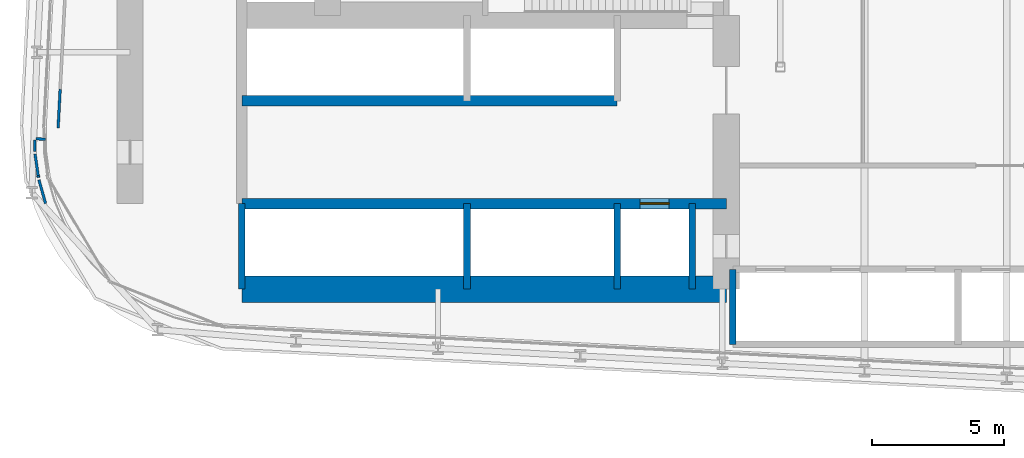
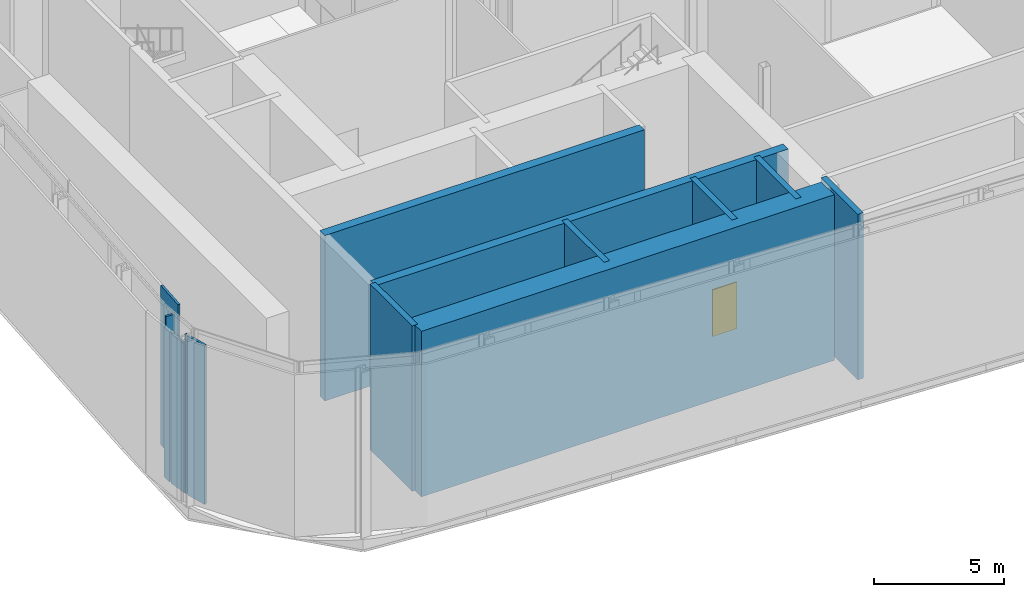
# One storey, part 24 of 36: 14 walls, 1 door, 1 opening.
"""IFC4 building model written with IfcOpenShell, lengths in metres."""

from ifc_helpers import new_model, si_unit, direction, frame, frame_2d, origin, place, context, subcontext, project, spatial, rectangle, extrude, source, transform, mapped, material, layer, layer_set, type_object, element, fill, save


model = new_model("IFC4")

# Units and contexts
model_context = context("Model", 3, precision=1e-05, world=origin(), true_north=direction((0.0, 1.0)))
body_context = subcontext(model_context, "Body", "Model", "MODEL_VIEW")
ifc_project = project(units=[si_unit("LENGTHUNIT", "METRE"), si_unit("AREAUNIT", "SQUARE_METRE"), si_unit("VOLUMEUNIT", "CUBIC_METRE"), si_unit("PLANEANGLEUNIT", "RADIAN"), si_unit("MASSUNIT", "GRAM", prefix="KILO")], contexts=[model_context])

# Site, building, storey
site_placement = place(None, origin())
site = spatial("IfcSite", under=ifc_project, at=site_placement, CompositionType="ELEMENT")
building_placement = place(site_placement, origin())
building = spatial("IfcBuilding", under=site, at=building_placement, Name="Kheshtan School and Residences Tower", CompositionType="ELEMENT")
storey_placement = place(building_placement, frame((0.0, 0.0, 81.199951171875)))
storey = spatial("IfcBuildingStorey", under=building, at=storey_placement, Name="L19", CompositionType="ELEMENT", Elevation=81.199951171875)

# Wall
ifc_material_1 = material(Name="Concrete C80/95", Category="concrete")
ifc_layer_1 = layer(ifc_material_1, 1.0)
ifc_layer_set_1 = layer_set([ifc_layer_1], Name="Core wall 1000 Concrete C80/95")
wall_type_1 = type_object("IfcWallType", Name="Core wall 1000 Concrete C80/95", PredefinedType="SHEAR", material=ifc_layer_set_1)
wall_1_placement = place(storey_placement, frame((34.75, 25.800048828125, 0.0), z_axis=(0.0, 0.0, 1.0), x_axis=(1.0, 0.0, 0.0)))
element("IfcWall", 1, at=wall_1_placement, inside=storey, type_object=wall_type_1, Name="Core wall CW-REAR-S", PredefinedType="SHEAR", context=body_context, shape_type="SweptSolid", body=[
    extrude(rectangle(XDim=18.39990234375, YDim=1.0, at=frame_2d((9.199951171875, 0.0))), origin(), (0.0, 0.0, 1.0), 7.800048828125),
])

# Wall, opening, door
ifc_material_2 = material(Name="Concrete C50/60", Category="concrete")
ifc_layer_2 = layer(ifc_material_2, 0.39990234375)
ifc_layer_set_2 = layer_set([ifc_layer_2], Name="Core wall 400 Concrete C50/60")
wall_type_2 = type_object("IfcWallType", Name="Core wall 400 Concrete C50/60", PredefinedType="SHEAR", material=ifc_layer_set_2)
wall_2_placement = place(storey_placement, frame((34.75, 29.050048828125, 0.0), z_axis=(0.0, 0.0, 1.0), x_axis=(1.0, 0.0, 0.0)))
wall_2 = element("IfcWall", 2, at=wall_2_placement, inside=storey, type_object=wall_type_2, Name="Core wall CW-HALL-S1", PredefinedType="SHEAR", context=body_context, shape_type="SweptSolid", body=[
    extrude(rectangle(XDim=18.39990234375, YDim=0.39990234375, at=frame_2d((9.199951171875, 0.0))), origin(), (0.0, 0.0, 1.0), 7.800048828125),
])
opening_placement = place(wall_2_placement, frame((15.125, 0.0, 0.0)))
opening = element("IfcOpeningElement", 3, at=opening_placement, cuts=wall_2, Name="Opening LD", PredefinedType="OPENING", context=body_context, shape_type="SweptSolid", body=[
    extrude(rectangle(XDim=1.10009765625, YDim=2.199951171875, at=frame_2d((0.550048828125, 1.10009765625))), frame((0.0, 0.2099609375, 0.0), z_axis=(0.0, -1.0, 0.0), x_axis=(1.0, 0.0, 0.0)), (0.0, 0.0, 1.0), 0.419921875),
])
ifc_material_3 = material(Name="Stainless steel door leaves", Category="steel")
door_type = type_object("IfcDoorType", Name="Lift landing door 1100", OperationType="SLIDING_TO_LEFT", PredefinedType="DOOR", material=ifc_material_3)
shared_shape = source(origin(), body_context, "Body", "SweptSolid", [
    extrude(rectangle(XDim=1.10009765625, YDim=2.199951171875, at=frame_2d((0.550048828125, 1.10009765625))), frame((0.0, 0.02490234375, 0.0), z_axis=(0.0, -1.0, 0.0), x_axis=(1.0, 0.0, 0.0)), (0.0, 0.0, 1.0), 0.050048828125),
])
door_placement = place(opening_placement, origin())
door = element("IfcDoor", 4, at=door_placement, inside=storey, type_object=door_type, Name="Lift FFL2 landing door", OperationType="SLIDING_TO_LEFT", OverallHeight=2.199951171875, OverallWidth=1.10009765625, PredefinedType="DOOR", context=body_context, shape_type="MappedRepresentation", body=[
    mapped(shared_shape, transform((0.0, 0.0, 0.0), x_axis=(1.0, 0.0, 0.0), y_axis=(0.0, 1.0, 0.0), z_axis=(0.0, 0.0, 1.0), scale=1.0)),
])
fill(opening, door)

# Walls
wall_3_placement = place(storey_placement, frame((34.75, 32.949951171875, 0.0), z_axis=(0.0, 0.0, 1.0), x_axis=(1.0, 0.0, 0.0)))
element("IfcWall", 5, at=wall_3_placement, inside=storey, type_object=wall_type_2, Name="Core wall CW-HALL-S2", PredefinedType="SHEAR", context=body_context, shape_type="SweptSolid", body=[
    extrude(rectangle(XDim=14.25, YDim=0.39990234375, at=frame_2d((7.125, 0.0))), origin(), (0.0, 0.0, 1.0), 7.800048828125),
])
ifc_material_4 = material(Name="Gypsum board on steel studs", Category="steel")
ifc_layer_3 = layer(ifc_material_4, 0.10009765625)
ifc_layer_set_3 = layer_set([ifc_layer_3], Name="Gypsum partition 100")
wall_type_3 = type_object("IfcWallType", Name="Gypsum partition 100", PredefinedType="PARTITIONING", material=ifc_layer_set_3)
wall_4_placement = place(storey_placement, frame((26.8759765625, 31.464111328125, 0.0), z_axis=(0.0, 0.0, 1.0), x_axis=(0.011863571826, -0.999929625355, 0.0)))
element("IfcWall", 6, at=wall_4_placement, inside=storey, type_object=wall_type_3, Name="Partition L19-001", PredefinedType="PARTITIONING", context=body_context, shape_type="SweptSolid", body=[
    extrude(rectangle(XDim=0.43212890625, YDim=0.10009765625, at=frame_2d((0.216064453125, 0.0))), origin(), (0.0, 0.0, 1.0), 7.033935546875),
])
wall_5_placement = place(storey_placement, frame((26.89111328125, 30.93310546875, 0.0), z_axis=(0.0, 0.0, 1.0), x_axis=(0.142654059435, -0.989772609909, 0.0)))
element("IfcWall", 7, at=wall_5_placement, inside=storey, type_object=wall_type_3, Name="Partition L19-002", PredefinedType="PARTITIONING", context=body_context, shape_type="SweptSolid", body=[
    extrude(rectangle(XDim=0.831787109375, YDim=0.10009765625, at=frame_2d((0.416015625, 0.0))), origin(), (0.0, 0.0, 1.0), 7.033935546875),
])
wall_6_placement = place(storey_placement, frame((27.009765625, 30.10986328125, 0.0), z_axis=(0.0, 0.0, 1.0), x_axis=(0.143536305261, -0.989645052063, 0.0)))
element("IfcWall", 8, at=wall_6_placement, inside=storey, type_object=wall_type_3, Name="Partition L19-003", PredefinedType="PARTITIONING", context=body_context, shape_type="SweptSolid", body=[
    extrude(rectangle(XDim=0.064697265625, YDim=0.10009765625, at=frame_2d((0.0322265625, 0.0))), origin(), (0.0, 0.0, 1.0), 7.5),
])
wall_7_placement = place(storey_placement, frame((26.927001953125, 31.510986328125, 0.0), z_axis=(0.0, 0.0, 1.0), x_axis=(0.998783709616, -0.049306200475, 0.0)))
element("IfcWall", 9, at=wall_7_placement, inside=storey, type_object=wall_type_3, Name="Partition L19-004", PredefinedType="PARTITIONING", context=body_context, shape_type="SweptSolid", body=[
    extrude(rectangle(XDim=0.366455078125, YDim=0.10009765625, at=frame_2d((0.18310546875, 0.0))), origin(), (0.0, 0.0, 1.0), 7.5),
])
wall_8_placement = place(storey_placement, frame((27.0390625, 29.948974609375, 0.0), z_axis=(0.0, 0.0, 1.0), x_axis=(0.270851570755, -0.96262112309, 0.0)))
element("IfcWall", 10, at=wall_8_placement, inside=storey, type_object=wall_type_3, Name="Partition L19-005", PredefinedType="PARTITIONING", context=body_context, shape_type="SweptSolid", body=[
    extrude(rectangle(XDim=0.933837890625, YDim=0.10009765625, at=frame_2d((0.466796875, 0.0))), origin(), (0.0, 0.0, 1.0), 7.5),
])
wall_9_placement = place(storey_placement, frame((27.76806640625, 31.9208984375, 0.0), z_axis=(0.0, 0.0, 1.0), x_axis=(0.052167674468, 0.998638339811, 0.0)))
element("IfcWall", 11, at=wall_9_placement, inside=storey, type_object=wall_type_3, Name="Partition L19-006", PredefinedType="PARTITIONING", context=body_context, shape_type="SweptSolid", body=[
    extrude(rectangle(XDim=1.47412109375, YDim=0.10009765625, at=frame_2d((0.737060546875, 0.0))), origin(), (0.0, 0.0, 1.0), 7.5),
])
ifc_material_5 = material(Name="Fire-board shaft wall system")
ifc_layer_4 = layer(ifc_material_5, 0.25)
ifc_layer_set_4 = layer_set([ifc_layer_4], Name="Shaft lining wall 250")
wall_type_4 = type_object("IfcWallType", Name="Shaft lining wall 250", PredefinedType="PARTITIONING", material=ifc_layer_set_4)
for number, where, z_axis, x_axis, name in (
    (12, (34.75, 25.800048828125, 0.0), (0.0, 0.0, 1.0), (0.0, 1.0, 0.0), "Shaft lining wall"),
    (13, (43.300048828125, 25.800048828125, 0.0), (0.0, 0.0, 1.0), (0.0, 1.0, 0.0), "Shaft lining wall"),
    (14, (49.0, 25.800048828125, 0.0), (0.0, 0.0, 1.0), (0.0, 1.0, 0.0), "Shaft lining wall"),
    (15, (51.85009765625, 25.800048828125, 0.0), (0.0, 0.0, 1.0), (0.0, 1.0, 0.0), "Shaft lining wall"),
):
    element("IfcWall", number, at=place(storey_placement, frame(where, z_axis=z_axis, x_axis=x_axis)), inside=storey, type_object=wall_type_4, Name=name, PredefinedType="PARTITIONING", context=body_context, shape_type="SweptSolid", body=[
        extrude(rectangle(XDim=3.25, YDim=0.25, at=frame_2d((1.625, 0.0))), origin(), (0.0, 0.0, 1.0), 7.800048828125),
    ])
wall_10_placement = place(storey_placement, frame((53.39990234375, 23.699951171875, 0.0), z_axis=(0.0, 0.0, 1.0), x_axis=(0.0, 1.0, 0.0)))
element("IfcWall", 16, at=wall_10_placement, inside=storey, type_object=wall_type_4, Name="Shaft lining wall", PredefinedType="PARTITIONING", context=body_context, shape_type="SweptSolid", body=[
    extrude(rectangle(XDim=2.85009765625, YDim=0.25, at=frame_2d((1.425048828125, 0.0))), origin(), (0.0, 0.0, 1.0), 7.800048828125),
])

save(model, "model.ifc")
